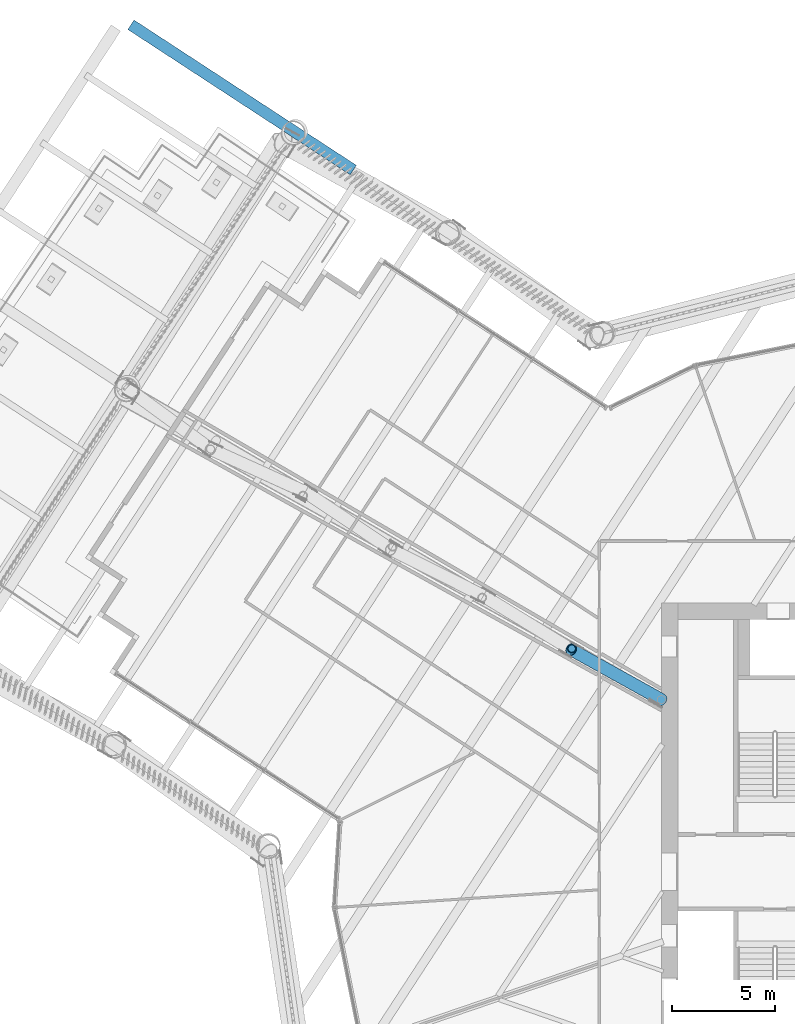
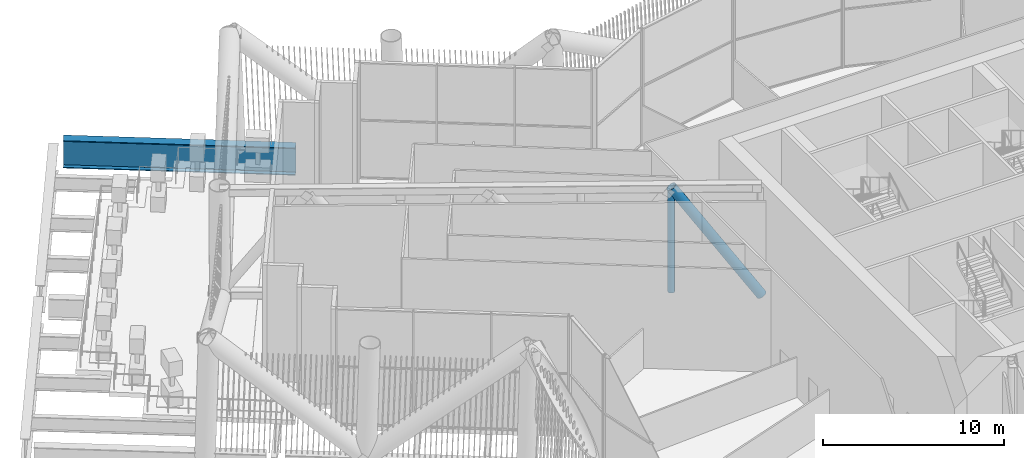
# One storey, part 29 of 63: 2 members, 1 beam.
"""IFC4 building model written with IfcOpenShell, lengths in metres."""

import ifcopenshell
import ifcopenshell.guid

model = None  # the IFC model being written
_history = None  # IfcOwnerHistory: only IFC2X3 demands one
_inside = {}  # id of a spatial element -> (the spatial element, [elements in it])
_under = {}  # id of a project, library or spatial element -> (it, [spatial elements below it])
_declared = {}  # id of a project -> (the project, [libraries it declares])
_typed = {}  # id of a type object -> (the type object, [elements of that type])
_made_of = {}  # id of a material, layer set ... -> (it, [elements and type objects made of it])


def new_model(schema):
    """Start an empty IFC model of exactly this schema.

    Asked for "IFC4X3", IfcOpenShell would pick the latest addendum, in which some entities
    have other attributes; the version numbers below select the first issue.
    IFC2X3 requires an IfcOwnerHistory on every rooted entity: one is made here for all.
    """
    global model, _history
    if schema == "IFC4X3":
        model = ifcopenshell.file(schema_version=(4, 3, 0, 0))
    else:
        model = ifcopenshell.file(schema=schema)
    _inside.clear()
    _under.clear()
    _declared.clear()
    _typed.clear()
    _made_of.clear()
    _history = None
    if model.schema == "IFC2X3":
        org = make("IfcOrganization", Name="unknown")
        user = make(
            "IfcPersonAndOrganization",
            ThePerson=make("IfcPerson", FamilyName="unknown"),
            TheOrganization=org,
        )
        app = make(
            "IfcApplication",
            ApplicationDeveloper=org,
            Version="unknown",
            ApplicationFullName="unknown",
            ApplicationIdentifier="unknown",
        )
        _history = make(
            "IfcOwnerHistory",
            OwningUser=user,
            OwningApplication=app,
            ChangeAction="ADDED",
            CreationDate=0,
        )
    return model


def make(cls, **values):
    """One entity of the class cls with the attributes given. An attribute that is None is left unset."""
    return model.create_entity(
        cls, **{name: value for name, value in values.items() if value is not None}
    )


def rooted(cls, **values):
    """An entity with a GlobalId (a new one), such as an element, a storey or a relation."""
    return make(cls, GlobalId=ifcopenshell.guid.new(), OwnerHistory=_history, **values)


def si_unit(unit_type, name, prefix=None):
    """IfcSIUnit, for example si_unit("LENGTHUNIT", "METRE", prefix="MILLI")."""
    return make("IfcSIUnit", UnitType=unit_type, Prefix=prefix, Name=name)


def assignment(units):
    """IfcUnitAssignment: the units of a project."""
    return None if units is None else make("IfcUnitAssignment", Units=units)


def point(xyz):
    """IfcCartesianPoint."""
    return None if xyz is None else make("IfcCartesianPoint", Coordinates=xyz)


def direction(xyz):
    """IfcDirection."""
    return None if xyz is None else make("IfcDirection", DirectionRatios=xyz)


def frame(location, z_axis=None, x_axis=None):
    """IfcAxis2Placement3D, a coordinate frame: its origin and axes. An axis left out is left unset."""
    return make(
        "IfcAxis2Placement3D",
        Location=point(location),
        Axis=direction(z_axis),
        RefDirection=direction(x_axis),
    )


def frame_2d(location, x_axis=None):
    """IfcAxis2Placement2D, a coordinate frame in the plane: its origin and x axis."""
    return make(
        "IfcAxis2Placement2D", Location=point(location), RefDirection=direction(x_axis)
    )


def origin():
    """The frame at (0, 0, 0) with its axes left unset."""
    return frame((0.0, 0.0, 0.0))


def origin_2d():
    """The frame at (0, 0) in the plane with its x axis left unset."""
    return frame_2d((0.0, 0.0))


def place(relative_to, where):
    """IfcLocalPlacement: puts the frame where relative to a parent placement (None: the world)."""
    return make(
        "IfcLocalPlacement", PlacementRelTo=relative_to, RelativePlacement=where
    )


def context(
    kind, dimensions, precision=None, world=None, true_north=None, identifier=None
):
    """IfcGeometricRepresentationContext, for example the 3D "Model" context."""
    return make(
        "IfcGeometricRepresentationContext",
        ContextIdentifier=identifier,
        ContextType=kind,
        CoordinateSpaceDimension=dimensions,
        Precision=precision,
        WorldCoordinateSystem=world,
        TrueNorth=true_north,
    )


def subcontext(parent, identifier, kind, view, scale=None):
    """IfcGeometricRepresentationSubContext, for example "Body" below "Model"."""
    return make(
        "IfcGeometricRepresentationSubContext",
        ContextIdentifier=identifier,
        ContextType=kind,
        ParentContext=parent,
        TargetScale=scale,
        TargetView=view,
    )


def project(units=None, contexts=None):
    """IfcProject with its units and contexts."""
    return rooted(
        "IfcProject",
        Name="project",
        RepresentationContexts=contexts,
        UnitsInContext=assignment(units),
    )


def spatial(cls, under=None, at=None, **own):
    """A site, building, storey or space (cls), placed at a placement, below another one or the project."""
    s = rooted(cls, ObjectPlacement=at, **own)
    if under is not None:
        _under.setdefault(under.id(), (under, []))[1].append(s)
    return s


def profile(cls, at=None, kind="AREA", **sizes):
    """A parametric profile (cls). Its sizes go by their IFC names, for example OverallWidth=200.0."""
    return make(cls, ProfileType=kind, Position=at, **sizes)


def hollow_circle(**sizes):
    """IfcCircleHollowProfileDef."""
    return profile("IfcCircleHollowProfileDef", **sizes)


def i_section(**sizes):
    """IfcIShapeProfileDef."""
    return profile("IfcIShapeProfileDef", **sizes)


def extrude(swept, where, along, depth):
    """IfcExtrudedAreaSolid: the profile swept, set in the frame where, extruded along a direction by depth."""
    return make(
        "IfcExtrudedAreaSolid",
        SweptArea=swept,
        Position=where,
        ExtrudedDirection=direction(along),
        Depth=depth,
    )


def shape(context_of_items, identifier, shape_type, items):
    """IfcShapeRepresentation: the items that make up one representation, for example the "Body"."""
    return make(
        "IfcShapeRepresentation",
        ContextOfItems=context_of_items,
        RepresentationIdentifier=identifier,
        RepresentationType=shape_type,
        Items=items,
    )


def material(Name=None, Category=None):
    """IfcMaterial."""
    return make("IfcMaterial", Name=Name, Category=Category)


def material_profile(
    of_material, cross_section, Name=None, Category=None, Priority=None
):
    """IfcMaterialProfile: a cross section and its material."""
    return make(
        "IfcMaterialProfile",
        Name=Name,
        Material=of_material,
        Profile=cross_section,
        Priority=Priority,
        Category=Category,
    )


def profile_set(profiles, Name=None, composite=None):
    """IfcMaterialProfileSet."""
    return make(
        "IfcMaterialProfileSet",
        Name=Name,
        MaterialProfiles=profiles,
        CompositeProfile=composite,
    )


def made_of(thing, what):
    """Note that an element or type object is made of a material, layer set ...; save() writes the relation."""
    if what is not None:
        _made_of.setdefault(what.id(), (what, []))[1].append(thing)
    return thing


def type_object(cls, material=None, **own):
    """A type object (cls), such as IfcWallType, which elements share."""
    return made_of(rooted(cls, **own), material)


def element(
    cls,
    number,
    at=None,
    inside=None,
    cuts=None,
    type_object=None,
    material=None,
    context=None,
    identifier="Body",
    shape_type=None,
    held_by="IfcProductDefinitionShape",
    body=None,
    shapes=None,
    **own,
):
    """One element of the class cls, such as IfcWall. Its Tag is "e" and its number.

    at: its placement. inside: the storey or other place that contains it. cuts: it is an
    opening in that element (IfcRelVoidsElement). A single representation is given by context,
    identifier, shape_type and body (its items); several are given by shapes. held_by: the class
    of the entity that holds the representations. save() writes the other relations.
    """
    e = rooted(cls, Tag="e%d" % number, ObjectPlacement=at, **own)
    if body is not None:
        shapes = [shape(context, identifier, shape_type, body)]
    if shapes is not None:
        e.Representation = make(held_by, Representations=shapes)
    if inside is not None:
        _inside.setdefault(inside.id(), (inside, []))[1].append(e)
    if cuts is not None:
        rooted(
            "IfcRelVoidsElement", RelatingBuildingElement=cuts, RelatedOpeningElement=e
        )
    if type_object is not None:
        _typed.setdefault(type_object.id(), (type_object, []))[1].append(e)
    return made_of(e, material)


def aggregate(whole, parts):
    """IfcRelAggregates: a whole, such as a stair, and the parts it consists of."""
    return rooted("IfcRelAggregates", RelatingObject=whole, RelatedObjects=parts)


def save(model, path):
    """Write the relations noted so far, then the file.

    IfcRelAggregates (storeys below a building ...), IfcRelContainedInSpatialStructure (elements
    in a storey), IfcRelDefinesByType, IfcRelAssociatesMaterial and IfcRelDeclares: one each for
    every whole, place, type object, material and project.
    """
    for whole, parts in _under.values():
        aggregate(whole, parts)
    for where, things in _inside.values():
        rooted(
            "IfcRelContainedInSpatialStructure",
            RelatedElements=things,
            RelatingStructure=where,
        )
    for kind, things in _typed.values():
        rooted("IfcRelDefinesByType", RelatedObjects=things, RelatingType=kind)
    for what, things in _made_of.values():
        rooted("IfcRelAssociatesMaterial", RelatedObjects=things, RelatingMaterial=what)
    for by, libraries in _declared.values():
        rooted("IfcRelDeclares", RelatingContext=by, RelatedDefinitions=libraries)
    model.write(path)


model = new_model("IFC4")

# Units and contexts
model_context = context("Model", 3, precision=1e-05, world=origin(), true_north=direction((0.0, 1.0)))
body_context = subcontext(model_context, "Body", "Model", "MODEL_VIEW")
ifc_project = project(units=[si_unit("LENGTHUNIT", "METRE"), si_unit("AREAUNIT", "SQUARE_METRE"), si_unit("VOLUMEUNIT", "CUBIC_METRE"), si_unit("PLANEANGLEUNIT", "RADIAN"), si_unit("MASSUNIT", "GRAM", prefix="KILO")], contexts=[model_context])

# Site, building, storey
site_placement = place(None, origin())
site = spatial("IfcSite", under=ifc_project, at=site_placement, CompositionType="ELEMENT")
building_placement = place(site_placement, origin())
building = spatial("IfcBuilding", under=site, at=building_placement, Name="Tarsis Ring Headquarters", CompositionType="ELEMENT")
storey_placement = place(building_placement, frame((0.0, 0.0, 139.60009765625)))
storey = spatial("IfcBuildingStorey", under=building, at=storey_placement, Name="L32", CompositionType="ELEMENT", Elevation=139.60009765625)

# Members
ifc_material = material(Name="Structural steel S355", Category="steel")
ifc_material_profile_1 = material_profile(ifc_material, hollow_circle(Radius=0.3046875, WallThickness=0.02490234375, at=origin_2d()), Name="CHS 610x25")
ifc_profile_set_1 = profile_set([ifc_material_profile_1], Name="Structural steel S355")
member_type_1 = type_object("IfcMemberType", Name="OD Outrigger diagonal CHS 610x25", PredefinedType="BRACE", material=ifc_profile_set_1)
member_1_placement = place(storey_placement, frame((-10.0, 8.32666015625, 0.25390625), z_axis=(-0.491835687167, 0.273361328031, 0.826662713062), x_axis=(-0.485804906112, -0.874067270407, 0.0)))
element("IfcMember", 1, at=member_1_placement, inside=storey, type_object=member_type_1, Name="Outrigger diagonal OD1", PredefinedType="BRACE", context=body_context, shape_type="SweptSolid", body=[
    extrude(hollow_circle(Radius=0.3046875, WallThickness=0.02490234375, at=origin_2d()), origin(), (0.0, 0.0, 1.0), 8.869384765625),
])
ifc_material_profile_2 = material_profile(ifc_material, hollow_circle(Radius=0.203125, WallThickness=0.01611328125, at=origin_2d()), Name="CHS 406x16")
ifc_profile_set_2 = profile_set([ifc_material_profile_2], Name="Structural steel S355")
member_type_2 = type_object("IfcMemberType", Name="OV Outrigger post CHS 406x16", PredefinedType="STRUT", material=ifc_profile_set_2)
member_2_placement = place(storey_placement, frame((-14.334716796875, 10.79443359375, 0.5078125), z_axis=(0.0, 0.0, 1.0), x_axis=(1.0, 0.0, 0.0)))
element("IfcMember", 2, at=member_2_placement, inside=storey, type_object=member_type_2, Name="Outrigger post OV1", PredefinedType="STRUT", context=body_context, shape_type="SweptSolid", body=[
    extrude(hollow_circle(Radius=0.203125, WallThickness=0.01611328125, at=origin_2d()), origin(), (0.0, 0.0, 1.0), 6.823974609375),
])

# Beam
ifc_material_profile_3 = material_profile(ifc_material, i_section(OverallWidth=0.550048828125, OverallDepth=1.85009765625, WebThickness=0.030029296875, FlangeThickness=0.050048828125, at=origin_2d()), Name="PG 1850x550x30x50")
ifc_profile_set_3 = profile_set([ifc_material_profile_3], Name="Structural steel S355")
beam_type = type_object("IfcBeamType", Name="XG Ring girder PG 1850x550x30x50", PredefinedType="BEAM", material=ifc_profile_set_3)
beam_placement = place(storey_placement, frame((-35.665771484375, 40.982666015625, -0.925048828125), z_axis=(0.837144277598, -0.546982137263, 0.0), x_axis=(0.546982137263, 0.837144277598, 0.0)))
element("IfcBeam", 3, at=beam_placement, inside=storey, type_object=beam_type, Name="Ring girder XG8", PredefinedType="BEAM", context=body_context, shape_type="SweptSolid", body=[
    extrude(i_section(OverallWidth=0.550048828125, OverallDepth=1.85009765625, WebThickness=0.030029296875, FlangeThickness=0.050048828125, at=origin_2d()), origin(), (0.0, 0.0, 1.0), 12.8505859375),
])

save(model, "model.ifc")
